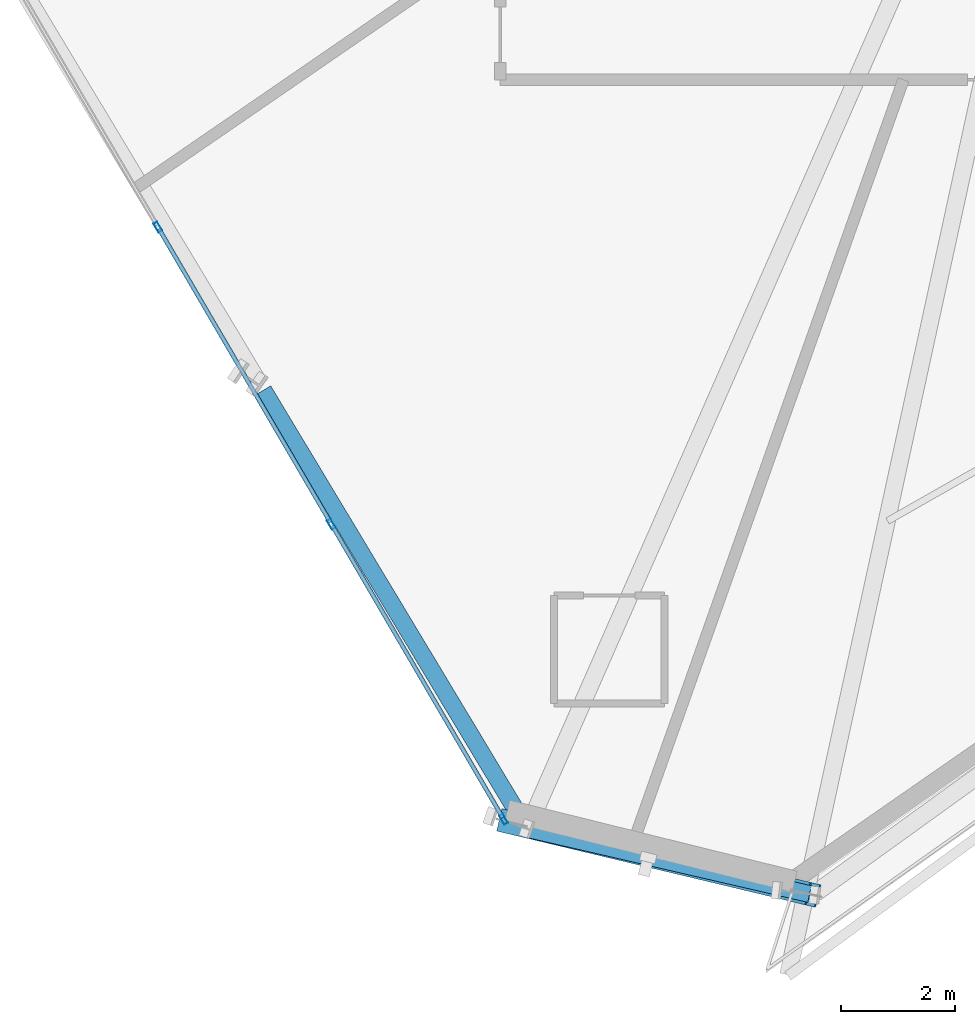
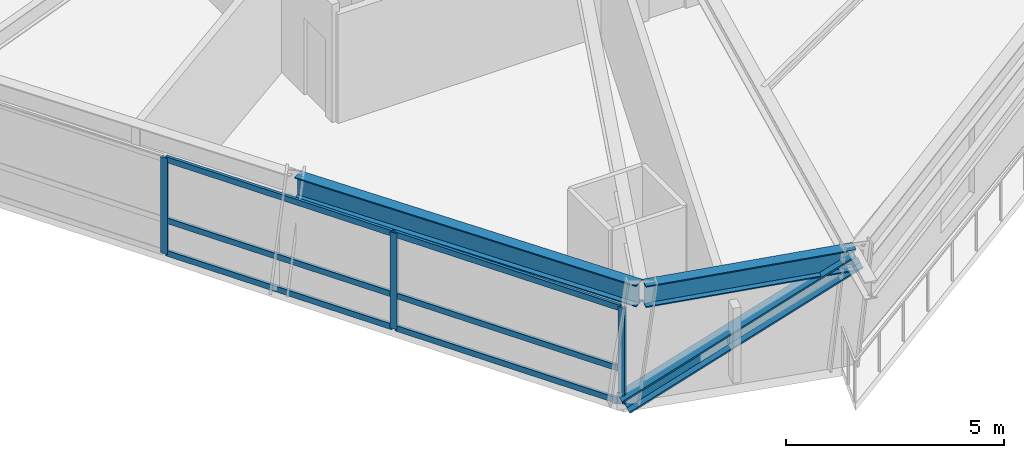
# One storey, part 2 of 17: 10 members, 2 beams, 1 element without a shape of its own.
"""IFC4 building model written with IfcOpenShell, lengths in metres."""

from ifc_helpers import new_model, si_unit, direction, frame, origin, origin_2d, place, context, subcontext, project, spatial, hollow_rectangle, i_section, extrude, source, transform, mapped, material, material_profile, profile_set, type_object, element, aggregate, save


model = new_model("IFC4")

# Units and contexts
model_context = context("Model", 3, precision=1e-05, world=origin(), true_north=direction((0.0, 1.0)))
body_context = subcontext(model_context, "Body", "Model", "MODEL_VIEW")
ifc_project = project(units=[si_unit("LENGTHUNIT", "METRE"), si_unit("AREAUNIT", "SQUARE_METRE"), si_unit("VOLUMEUNIT", "CUBIC_METRE"), si_unit("PLANEANGLEUNIT", "RADIAN"), si_unit("MASSUNIT", "GRAM", prefix="KILO")], contexts=[model_context])

# Site, building, storey
site_placement = place(None, origin())
site = spatial("IfcSite", under=ifc_project, at=site_placement, CompositionType="ELEMENT")
building_placement = place(site_placement, origin())
building = spatial("IfcBuilding", under=site, at=building_placement, Name="Olszyna Solenne Hotel", CompositionType="ELEMENT")
storey_placement = place(building_placement, frame((0.0, 0.0, 116.35009765625)))
storey = spatial("IfcBuildingStorey", under=building, at=storey_placement, Name="L30", CompositionType="ELEMENT", Elevation=116.35009765625)

# Beams
ifc_material_1 = material(Name="Steel S355J2", Category="steel")
ifc_material_profile_1 = material_profile(ifc_material_1, i_section(OverallWidth=0.300048828125, OverallDepth=0.60009765625, WebThickness=0.015380859375, FlangeThickness=0.030029296875, at=origin_2d()), Name="HEB 600", Category="load-bearing")
ifc_profile_set_1 = profile_set([ifc_material_profile_1], Name="Steel S355J2")
beam_type = type_object("IfcBeamType", Name="BM-S2", PredefinedType="BEAM", material=ifc_profile_set_1)
shared_shape_1 = source(origin(), body_context, "Body", "SweptSolid", [
    extrude(i_section(OverallWidth=0.300048828125, OverallDepth=0.60009765625, WebThickness=0.015380859375, FlangeThickness=0.030029296875, at=origin_2d()), origin(), (0.0, 0.0, 1.0), 8.950439453125),
])
beam_1_placement = place(storey_placement, frame((23.2822265625, 11.38623046875, 3.0), z_axis=(0.515426079283, -0.8569340446, 0.0), x_axis=(0.8569340446, 0.515426079283, 0.0)))
element("IfcBeam", 1, at=beam_1_placement, inside=storey, type_object=beam_type, Name="Perimeter spandrel beam BM-S2 B-L30-0905", PredefinedType="BEAM", context=body_context, shape_type="MappedRepresentation", body=[
    mapped(shared_shape_1, transform((0.0, 0.0, 0.0), x_axis=(1.0, 0.0, 0.0), y_axis=(0.0, 1.0, 0.0), z_axis=(0.0, 0.0, 1.0), scale=1.0)),
])
shared_shape_2 = source(origin(), body_context, "Body", "SweptSolid", [
    extrude(i_section(OverallWidth=0.300048828125, OverallDepth=0.60009765625, WebThickness=0.015380859375, FlangeThickness=0.030029296875, at=origin_2d()), origin(), (0.0, 0.0, 1.0), 5.040283203125),
])
beam_2_placement = place(storey_placement, frame((27.985107421875, 3.6513671875, 3.0), z_axis=(0.974371599242, -0.224944407779, 0.0), x_axis=(0.224944407779, 0.974371599242, 0.0)))
element("IfcBeam", 2, at=beam_2_placement, inside=storey, type_object=beam_type, Name="Perimeter spandrel beam BM-S2 B-L30-0906", PredefinedType="BEAM", context=body_context, shape_type="MappedRepresentation", body=[
    mapped(shared_shape_2, transform((0.0, 0.0, 0.0), x_axis=(1.0, 0.0, 0.0), y_axis=(0.0, 1.0, 0.0), z_axis=(0.0, 0.0, 1.0), scale=1.0)),
])

# Member
ifc_material_2 = material(Name="Steel S460M", Category="steel")
ifc_material_profile_2 = material_profile(ifc_material_2, i_section(OverallWidth=0.406005859375, OverallDepth=0.416015625, WebThickness=0.026611328125, FlangeThickness=0.04150390625, at=origin_2d()), Name="HD 400x382", Category="load-bearing")
ifc_profile_set_2 = profile_set([ifc_material_profile_2], Name="Steel S460M")
member_type_1 = type_object("IfcMemberType", Name="BR-T2", PredefinedType="BRACE", material=ifc_profile_set_2)
shared_shape_3 = source(origin(), body_context, "Body", "SweptSolid", [
    extrude(i_section(OverallWidth=0.406005859375, OverallDepth=0.416015625, WebThickness=0.026611328125, FlangeThickness=0.04150390625, at=origin_2d()), origin(), (0.0, 0.0, 1.0), 6.314697265625),
])
member_1_placement = place(storey_placement, frame((27.529541015625, 3.80078125, 0.010009765625), z_axis=(0.859125333669, -0.205376615474, 0.468747380649), x_axis=(0.232502109626, 0.972595891941, 0.0)))
element("IfcMember", 3, at=member_1_placement, inside=storey, type_object=member_type_1, Name="Perimeter braced-tube diagonal BR-T2 BR-L30-3", PredefinedType="BRACE", context=body_context, shape_type="MappedRepresentation", body=[
    mapped(shared_shape_3, transform((0.0, 0.0, 0.0), x_axis=(1.0, 0.0, 0.0), y_axis=(0.0, 1.0, 0.0), z_axis=(0.0, 0.0, 1.0), scale=1.0)),
])

# Curtain wall, members
ifc_material_3 = material(Name="Anodised bronze aluminium", Category="aluminium")
curtain_wall_type = type_object("IfcCurtainWallType", Name="CW-SYS-3", PredefinedType="NOTDEFINED", material=ifc_material_3)
curtain_wall_placement = place(storey_placement, origin())
curtain_wall = element("IfcCurtainWall", 4, at=curtain_wall_placement, inside=storey, type_object=curtain_wall_type, Name="Unitised curtain wall CW-SYS-3 CW-L30-01", PredefinedType="NOTDEFINED")
ifc_material_profile_3 = material_profile(ifc_material_3, hollow_rectangle(XDim=0.074951171875, YDim=0.179931640625, WallThickness=0.00439453125, at=origin_2d()), Name="MULL 180x75x4.5", Category="load-bearing")
ifc_profile_set_3 = profile_set([ifc_material_profile_3], Name="Anodised bronze aluminium")
member_type_2 = type_object("IfcMemberType", Name="CW-M2", PredefinedType="MULLION", material=ifc_profile_set_3)
shared_shape_4 = source(origin(), body_context, "Body", "SweptSolid", [
    extrude(hollow_rectangle(XDim=0.074951171875, YDim=0.179931640625, WallThickness=0.00439453125, at=origin_2d()), origin(), (0.0, 0.0, 1.0), 2.69189453125),
])
member_2_placement = place(storey_placement, frame((21.425537109375, 14.257080078125, 0.0), z_axis=(0.0, 0.0, 1.0), x_axis=(0.863615294369, 0.504151389299, 0.0)))
member_2 = element("IfcMember", 5, at=member_2_placement, type_object=member_type_2, Name="Curtain-wall mullion CW-M2 CM-L30-01-02", PredefinedType="MULLION", context=body_context, shape_type="MappedRepresentation", body=[
    mapped(shared_shape_4, transform((0.0, 0.0, 0.0), x_axis=(1.0, 0.0, 0.0), y_axis=(0.0, 1.0, 0.0), z_axis=(0.0, 0.0, 1.0), scale=1.0)),
])
member_3_placement = place(storey_placement, frame((24.4775390625, 9.029052734375, 0.0), z_axis=(0.0, 0.0, 1.0), x_axis=(0.863615294369, 0.504151389299, 0.0)))
member_3 = element("IfcMember", 6, at=member_3_placement, type_object=member_type_2, Name="Curtain-wall mullion CW-M2 CM-L30-01-03", PredefinedType="MULLION", context=body_context, shape_type="MappedRepresentation", body=[
    mapped(shared_shape_4, transform((0.0, 0.0, 0.0), x_axis=(1.0, 0.0, 0.0), y_axis=(0.0, 1.0, 0.0), z_axis=(0.0, 0.0, 1.0), scale=1.0)),
])
member_4_placement = place(storey_placement, frame((27.510498046875, 3.833251953125, 0.0), z_axis=(0.0, 0.0, 1.0), x_axis=(0.863615294369, 0.504151389299, 0.0)))
member_4 = element("IfcMember", 7, at=member_4_placement, type_object=member_type_2, Name="Curtain-wall mullion CW-M2 CM-L30-01-04", PredefinedType="MULLION", context=body_context, shape_type="MappedRepresentation", body=[
    mapped(shared_shape_4, transform((0.0, 0.0, 0.0), x_axis=(1.0, 0.0, 0.0), y_axis=(0.0, 1.0, 0.0), z_axis=(0.0, 0.0, 1.0), scale=1.0)),
])
ifc_material_profile_4 = material_profile(ifc_material_3, hollow_rectangle(XDim=0.074951171875, YDim=0.159912109375, WallThickness=0.00390625, at=origin_2d()), Name="TRAN 160x75x4", Category="load-bearing")
ifc_profile_set_4 = profile_set([ifc_material_profile_4], Name="Anodised bronze aluminium")
member_type_3 = type_object("IfcMemberType", Name="CW-T1", PredefinedType="USERDEFINED", material=ifc_profile_set_4)
shared_shape_5 = source(origin(), body_context, "Body", "SweptSolid", [
    extrude(hollow_rectangle(XDim=0.074951171875, YDim=0.159912109375, WallThickness=0.00390625, at=origin_2d()), origin(), (0.0, 0.0, 1.0), 5.941162109375),
])
member_5_placement = place(storey_placement, frame((24.496337890625, 8.99658203125, 0.037353515625), z_axis=(0.504167374911, -0.863605962274, 0.0), x_axis=(0.863605962274, 0.504167374911, 0.0)))
member_5 = element("IfcMember", 8, at=member_5_placement, type_object=member_type_3, Name="Curtain-wall transom CW-T1 CT-L30-01-07", ObjectType="TRANSOM", PredefinedType="USERDEFINED", context=body_context, shape_type="MappedRepresentation", body=[
    mapped(shared_shape_5, transform((0.0, 0.0, 0.0), x_axis=(1.0, 0.0, 0.0), y_axis=(0.0, 1.0, 0.0), z_axis=(0.0, 0.0, 1.0), scale=1.0)),
])
member_6_placement = place(storey_placement, frame((24.496337890625, 8.99658203125, 0.949951171875), z_axis=(0.504167374911, -0.863605962274, 0.0), x_axis=(0.863605962274, 0.504167374911, 0.0)))
member_6 = element("IfcMember", 9, at=member_6_placement, type_object=member_type_3, Name="Curtain-wall transom CW-T1 CT-L30-01-08", ObjectType="TRANSOM", PredefinedType="USERDEFINED", context=body_context, shape_type="MappedRepresentation", body=[
    mapped(shared_shape_5, transform((0.0, 0.0, 0.0), x_axis=(1.0, 0.0, 0.0), y_axis=(0.0, 1.0, 0.0), z_axis=(0.0, 0.0, 1.0), scale=1.0)),
])
member_7_placement = place(storey_placement, frame((24.496337890625, 8.99658203125, 2.654296875), z_axis=(0.504167374911, -0.863605962274, 0.0), x_axis=(0.863605962274, 0.504167374911, 0.0)))
member_7 = element("IfcMember", 10, at=member_7_placement, type_object=member_type_3, Name="Curtain-wall transom CW-T1 CT-L30-01-09", ObjectType="TRANSOM", PredefinedType="USERDEFINED", context=body_context, shape_type="MappedRepresentation", body=[
    mapped(shared_shape_5, transform((0.0, 0.0, 0.0), x_axis=(1.0, 0.0, 0.0), y_axis=(0.0, 1.0, 0.0), z_axis=(0.0, 0.0, 1.0), scale=1.0)),
])
shared_shape_6 = source(origin(), body_context, "Body", "SweptSolid", [
    extrude(hollow_rectangle(XDim=0.074951171875, YDim=0.159912109375, WallThickness=0.00390625, at=origin_2d()), origin(), (0.0, 0.0, 1.0), 5.978759765625),
])
member_8_placement = place(storey_placement, frame((21.4443359375, 14.224609375, 0.037353515625), z_axis=(0.504147746071, -0.863617421161, 0.0), x_axis=(0.863617421161, 0.504147746071, 0.0)))
member_8 = element("IfcMember", 11, at=member_8_placement, type_object=member_type_3, Name="Curtain-wall transom CW-T1 CT-L30-01-04", ObjectType="TRANSOM", PredefinedType="USERDEFINED", context=body_context, shape_type="MappedRepresentation", body=[
    mapped(shared_shape_6, transform((0.0, 0.0, 0.0), x_axis=(1.0, 0.0, 0.0), y_axis=(0.0, 1.0, 0.0), z_axis=(0.0, 0.0, 1.0), scale=1.0)),
])
member_9_placement = place(storey_placement, frame((21.4443359375, 14.224609375, 0.949951171875), z_axis=(0.504147746071, -0.863617421161, 0.0), x_axis=(0.863617421161, 0.504147746071, 0.0)))
member_9 = element("IfcMember", 12, at=member_9_placement, type_object=member_type_3, Name="Curtain-wall transom CW-T1 CT-L30-01-05", ObjectType="TRANSOM", PredefinedType="USERDEFINED", context=body_context, shape_type="MappedRepresentation", body=[
    mapped(shared_shape_6, transform((0.0, 0.0, 0.0), x_axis=(1.0, 0.0, 0.0), y_axis=(0.0, 1.0, 0.0), z_axis=(0.0, 0.0, 1.0), scale=1.0)),
])
member_10_placement = place(storey_placement, frame((21.4443359375, 14.224609375, 2.654296875), z_axis=(0.504147746071, -0.863617421161, 0.0), x_axis=(0.863617421161, 0.504147746071, 0.0)))
member_10 = element("IfcMember", 13, at=member_10_placement, type_object=member_type_3, Name="Curtain-wall transom CW-T1 CT-L30-01-06", ObjectType="TRANSOM", PredefinedType="USERDEFINED", context=body_context, shape_type="MappedRepresentation", body=[
    mapped(shared_shape_6, transform((0.0, 0.0, 0.0), x_axis=(1.0, 0.0, 0.0), y_axis=(0.0, 1.0, 0.0), z_axis=(0.0, 0.0, 1.0), scale=1.0)),
])
aggregate(curtain_wall, [member_2, member_3, member_4, member_8, member_9, member_10, member_5, member_6, member_7])

save(model, "model.ifc")
